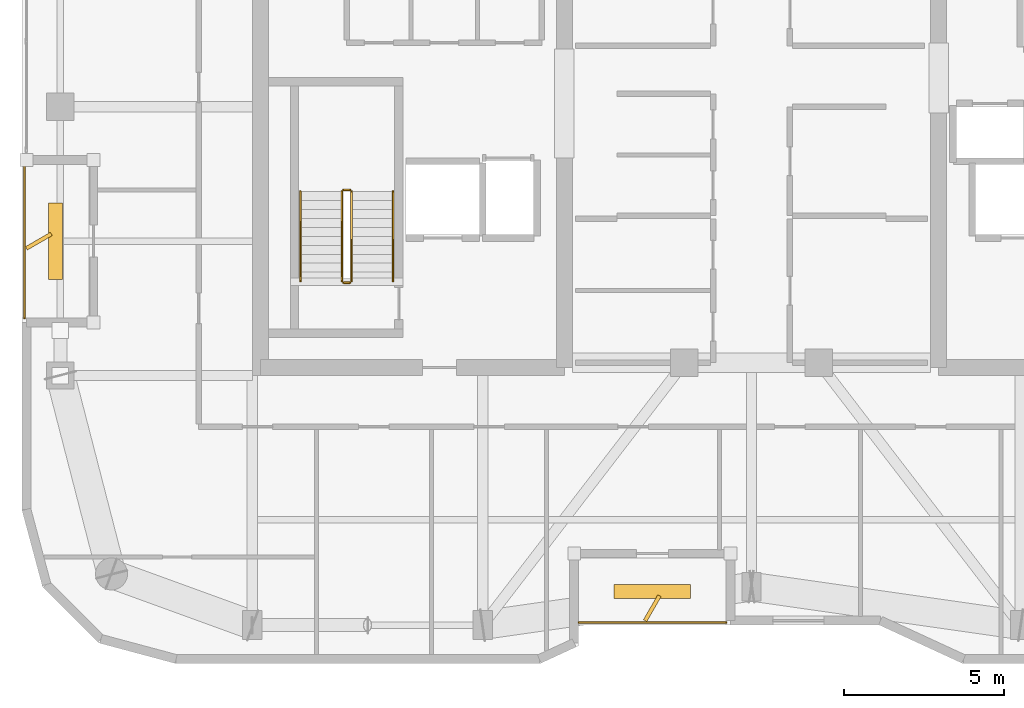
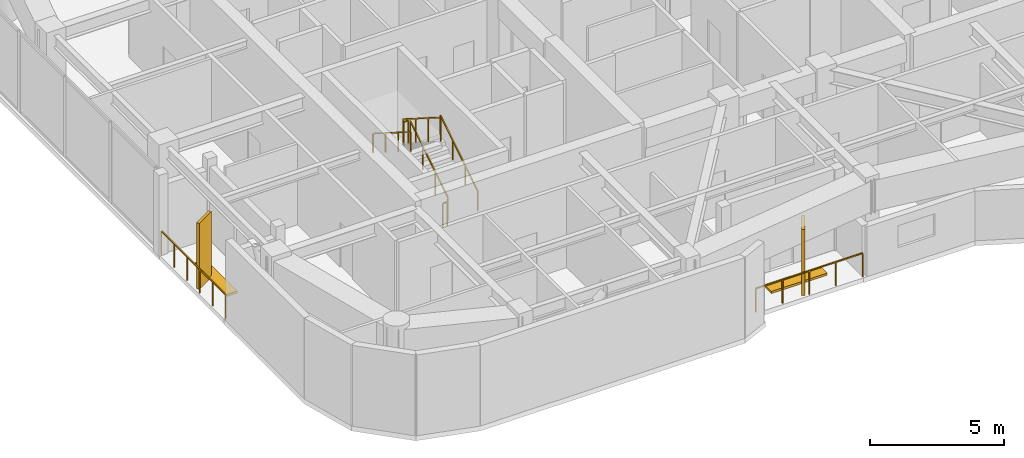
# One storey, part 15 of 16: 8 railings, 4 shading devices.
"""IFC4 building model written with IfcOpenShell, lengths in metres."""

from ifc_helpers import new_model, si_unit, direction, frame, origin, origin_2d, place, context, subcontext, project, spatial, rectangle, extrude, material, type_object, element, save


model = new_model("IFC4")

# Units and contexts
model_context = context("Model", 3, precision=1e-05, world=origin(), true_north=direction((0.0, 1.0)))
body_context = subcontext(model_context, "Body", "Model", "MODEL_VIEW")
ifc_project = project(units=[si_unit("LENGTHUNIT", "METRE"), si_unit("AREAUNIT", "SQUARE_METRE"), si_unit("VOLUMEUNIT", "CUBIC_METRE"), si_unit("PLANEANGLEUNIT", "RADIAN"), si_unit("MASSUNIT", "GRAM", prefix="KILO")], contexts=[model_context])

# Site, building, storey
site_placement = place(None, origin())
site = spatial("IfcSite", under=ifc_project, at=site_placement, CompositionType="ELEMENT")
building_placement = place(site_placement, origin())
building = spatial("IfcBuilding", under=site, at=building_placement, Name="Kiyonajd Concourse Tower", CompositionType="ELEMENT")
storey_placement = place(building_placement, frame((0.0, 0.0, 306.300048828125)))
storey = spatial("IfcBuildingStorey", under=building, at=storey_placement, Name="L77", CompositionType="ELEMENT", Elevation=306.300048828125)

# Railings
ifc_material_1 = material(Name="Thermally Broken Anodised Aluminium", Category="aluminium")
railing_type_1 = type_object("IfcRailingType", Name="RL-GRD-LOG", PredefinedType="GUARDRAIL", material=ifc_material_1)
railing_1_placement = place(storey_placement, frame((42.60009765625, 19.8798828125, 0.0)))
element("IfcRailing", 1, at=railing_1_placement, inside=storey, type_object=railing_type_1, Name="L77 Engawa Loggia Perimeter Guard LOG-S", PredefinedType="GUARDRAIL", context=body_context, shape_type="SweptSolid", body=[
    extrude(rectangle(XDim=0.048095703125, YDim=0.048095703125, at=origin_2d()), frame((0.0, 0.0, 1.076171875), z_axis=(1.0, 0.0, 0.0), x_axis=(0.0, 1.0, 0.0)), (0.0, 0.0, 1.0), 4.599853515625),
    extrude(rectangle(XDim=0.0419921875, YDim=0.0419921875, at=origin_2d()), origin(), (0.0, 0.0, 1.0), 1.052001953125),
    extrude(rectangle(XDim=0.0419921875, YDim=0.0419921875, at=origin_2d()), frame((1.14990234375, 0.0, 0.0)), (0.0, 0.0, 1.0), 1.052001953125),
    extrude(rectangle(XDim=0.0419921875, YDim=0.0419921875, at=origin_2d()), frame((2.2998046875, 0.0, 0.0)), (0.0, 0.0, 1.0), 1.052001953125),
    extrude(rectangle(XDim=0.0419921875, YDim=0.0419921875, at=origin_2d()), frame((3.449951171875, 0.0, 0.0)), (0.0, 0.0, 1.0), 1.052001953125),
    extrude(rectangle(XDim=0.0419921875, YDim=0.0419921875, at=origin_2d()), frame((4.599853515625, 0.0, 0.0)), (0.0, 0.0, 1.0), 1.052001953125),
])
railing_2_placement = place(storey_placement, frame((25.280029296875, 34.199951171875, 0.0)))
element("IfcRailing", 2, at=railing_2_placement, inside=storey, type_object=railing_type_1, Name="L77 Engawa Loggia Perimeter Guard LOG-W", PredefinedType="GUARDRAIL", context=body_context, shape_type="SweptSolid", body=[
    extrude(rectangle(XDim=0.048095703125, YDim=0.048095703125, at=origin_2d()), frame((0.0, 0.0, 1.076171875), z_axis=(0.0, -1.0, 0.0), x_axis=(1.0, 0.0, 0.0)), (0.0, 0.0, 1.0), 4.800048828125),
    extrude(rectangle(XDim=0.0419921875, YDim=0.0419921875, at=origin_2d()), origin(), (0.0, 0.0, 1.0), 1.052001953125),
    extrude(rectangle(XDim=0.0419921875, YDim=0.0419921875, at=origin_2d()), frame((0.0, -0.9599609375, 0.0)), (0.0, 0.0, 1.0), 1.052001953125),
    extrude(rectangle(XDim=0.0419921875, YDim=0.0419921875, at=origin_2d()), frame((0.0, -1.919921875, 0.0)), (0.0, 0.0, 1.0), 1.052001953125),
    extrude(rectangle(XDim=0.0419921875, YDim=0.0419921875, at=origin_2d()), frame((0.0, -2.880126953125, 0.0)), (0.0, 0.0, 1.0), 1.052001953125),
    extrude(rectangle(XDim=0.0419921875, YDim=0.0419921875, at=origin_2d()), frame((0.0, -3.840087890625, 0.0)), (0.0, 0.0, 1.0), 1.052001953125),
    extrude(rectangle(XDim=0.0419921875, YDim=0.0419921875, at=origin_2d()), frame((0.0, -4.800048828125, 0.0)), (0.0, 0.0, 1.0), 1.052001953125),
])
ifc_material_2 = material(Name="Steel ASTM A500 Grade C", Category="steel")
railing_type_2 = type_object("IfcRailingType", Name="RL-GRD-STR", PredefinedType="GUARDRAIL", material=ifc_material_2)
railing_3_placement = place(storey_placement, frame((35.5, 30.550048828125, 0.17724609375)))
element("IfcRailing", 3, at=railing_3_placement, inside=storey, type_object=railing_type_2, Name="L77 ST1 stair guard 1", PredefinedType="GUARDRAIL", context=body_context, shape_type="SweptSolid", body=[
    extrude(rectangle(XDim=0.048095703125, YDim=0.048095703125, at=origin_2d()), frame((0.0, 0.0, 1.076171875), z_axis=(0.0, 0.844908973607, 0.534910110503), x_axis=(-1.0, 0.0, 0.0)), (0.0, 0.0, 1.0), 3.31396484375),
    extrude(rectangle(XDim=0.0419921875, YDim=0.0419921875, at=origin_2d()), origin(), (0.0, 0.0, 1.0), 1.052001953125),
    extrude(rectangle(XDim=0.0419921875, YDim=0.0419921875, at=origin_2d()), frame((0.0, 0.933349609375, 0.5908203125)), (0.0, 0.0, 1.0), 1.052001953125),
    extrude(rectangle(XDim=0.0419921875, YDim=0.0419921875, at=origin_2d()), frame((0.0, 1.86669921875, 1.181884765625)), (0.0, 0.0, 1.0), 1.052001953125),
    extrude(rectangle(XDim=0.0419921875, YDim=0.0419921875, at=origin_2d()), frame((0.0, 2.800048828125, 1.772705078125)), (0.0, 0.0, 1.0), 1.052001953125),
])
railing_4_placement = place(storey_placement, frame((35.449951171875, 33.39990234375, 1.949951171875)))
element("IfcRailing", 4, at=railing_4_placement, inside=storey, type_object=railing_type_2, Name="L77 ST1 stair guard 2", PredefinedType="GUARDRAIL", context=body_context, shape_type="SweptSolid", body=[
    extrude(rectangle(XDim=0.048095703125, YDim=0.048095703125, at=origin_2d()), frame((0.0, 0.0, 1.076171875), z_axis=(-1.0, 0.0, 0.0), x_axis=(0.0, -1.0, 0.0)), (0.0, 0.0, 1.0), 0.199951171875),
    extrude(rectangle(XDim=0.0419921875, YDim=0.0419921875, at=origin_2d()), origin(), (0.0, 0.0, 1.0), 1.052001953125),
    extrude(rectangle(XDim=0.0419921875, YDim=0.0419921875, at=origin_2d()), frame((-0.199951171875, 0.0, 0.0)), (0.0, 0.0, 1.0), 1.052001953125),
])
railing_5_placement = place(storey_placement, frame((35.199951171875, 33.35009765625, 2.127197265625)))
element("IfcRailing", 5, at=railing_5_placement, inside=storey, type_object=railing_type_2, Name="L77 ST1 stair guard 3", PredefinedType="GUARDRAIL", context=body_context, shape_type="SweptSolid", body=[
    extrude(rectangle(XDim=0.048095703125, YDim=0.048095703125, at=origin_2d()), frame((0.0, 0.0, 1.076171875), z_axis=(0.0, -0.844908973607, 0.534910110503), x_axis=(1.0, 0.0, 0.0)), (0.0, 0.0, 1.0), 3.31396484375),
    extrude(rectangle(XDim=0.0419921875, YDim=0.0419921875, at=origin_2d()), origin(), (0.0, 0.0, 1.0), 1.052001953125),
    extrude(rectangle(XDim=0.0419921875, YDim=0.0419921875, at=origin_2d()), frame((0.0, -0.933349609375, 0.5908203125)), (0.0, 0.0, 1.0), 1.052001953125),
    extrude(rectangle(XDim=0.0419921875, YDim=0.0419921875, at=origin_2d()), frame((0.0, -1.86669921875, 1.181884765625)), (0.0, 0.0, 1.0), 1.052001953125),
    extrude(rectangle(XDim=0.0419921875, YDim=0.0419921875, at=origin_2d()), frame((0.0, -2.800048828125, 1.772705078125)), (0.0, 0.0, 1.0), 1.052001953125),
])
railing_6_placement = place(storey_placement, frame((35.449951171875, 30.5, 0.0)))
element("IfcRailing", 6, at=railing_6_placement, inside=storey, type_object=railing_type_2, Name="L77 ST1 stair guard 4", PredefinedType="GUARDRAIL", context=body_context, shape_type="SweptSolid", body=[
    extrude(rectangle(XDim=0.048095703125, YDim=0.048095703125, at=origin_2d()), frame((0.0, 0.0, 1.076171875), z_axis=(-1.0, 0.0, 0.0), x_axis=(0.0, -1.0, 0.0)), (0.0, 0.0, 1.0), 0.199951171875),
    extrude(rectangle(XDim=0.0419921875, YDim=0.0419921875, at=origin_2d()), origin(), (0.0, 0.0, 1.0), 1.052001953125),
    extrude(rectangle(XDim=0.0419921875, YDim=0.0419921875, at=origin_2d()), frame((-0.199951171875, 0.0, 0.0)), (0.0, 0.0, 1.0), 1.052001953125),
])
ifc_material_3 = material(Name="Brushed Stainless Steel Cab Assembly", Category="steel")
railing_type_3 = type_object("IfcRailingType", Name="RL-HND-900", PredefinedType="HANDRAIL", material=ifc_material_3)
railing_7_placement = place(storey_placement, frame((36.800048828125, 30.550048828125, 0.17724609375)))
element("IfcRailing", 7, at=railing_7_placement, inside=storey, type_object=railing_type_3, Name="L77 ST1 stair handrail 1", PredefinedType="HANDRAIL", context=body_context, shape_type="SweptSolid", body=[
    extrude(rectangle(XDim=0.048095703125, YDim=0.048095703125, at=origin_2d()), frame((0.0, 0.0, 0.8759765625), z_axis=(0.0, 0.844908973607, 0.534910110503), x_axis=(-1.0, 0.0, 0.0)), (0.0, 0.0, 1.0), 3.31396484375),
    extrude(rectangle(XDim=0.0419921875, YDim=0.0419921875, at=origin_2d()), origin(), (0.0, 0.0, 1.0), 0.851806640625),
    extrude(rectangle(XDim=0.0419921875, YDim=0.0419921875, at=origin_2d()), frame((0.0, 0.933349609375, 0.5908203125)), (0.0, 0.0, 1.0), 0.851806640625),
    extrude(rectangle(XDim=0.0419921875, YDim=0.0419921875, at=origin_2d()), frame((0.0, 1.86669921875, 1.181884765625)), (0.0, 0.0, 1.0), 0.851806640625),
    extrude(rectangle(XDim=0.0419921875, YDim=0.0419921875, at=origin_2d()), frame((0.0, 2.800048828125, 1.772705078125)), (0.0, 0.0, 1.0), 0.851806640625),
])
railing_8_placement = place(storey_placement, frame((33.89990234375, 33.35009765625, 2.127197265625)))
element("IfcRailing", 8, at=railing_8_placement, inside=storey, type_object=railing_type_3, Name="L77 ST1 stair handrail 2", PredefinedType="HANDRAIL", context=body_context, shape_type="SweptSolid", body=[
    extrude(rectangle(XDim=0.048095703125, YDim=0.048095703125, at=origin_2d()), frame((0.0, 0.0, 0.8759765625), z_axis=(0.0, -0.844908973607, 0.534910110503), x_axis=(1.0, 0.0, 0.0)), (0.0, 0.0, 1.0), 3.31396484375),
    extrude(rectangle(XDim=0.0419921875, YDim=0.0419921875, at=origin_2d()), origin(), (0.0, 0.0, 1.0), 0.851806640625),
    extrude(rectangle(XDim=0.0419921875, YDim=0.0419921875, at=origin_2d()), frame((0.0, -0.933349609375, 0.5908203125)), (0.0, 0.0, 1.0), 0.851806640625),
    extrude(rectangle(XDim=0.0419921875, YDim=0.0419921875, at=origin_2d()), frame((0.0, -1.86669921875, 1.181884765625)), (0.0, 0.0, 1.0), 0.851806640625),
    extrude(rectangle(XDim=0.0419921875, YDim=0.0419921875, at=origin_2d()), frame((0.0, -2.800048828125, 1.772705078125)), (0.0, 0.0, 1.0), 0.851806640625),
])

# Shading devices
ifc_material_4 = material(Name="Precast concrete C50/60", Category="concrete")
shading_device_type_1 = type_object("IfcShadingDeviceType", Name="SH-FIN-900", PredefinedType="USERDEFINED", material=ifc_material_4)
for number, where, z_axis, x_axis, name in (
    (9, (44.89990234375, 20.330078125, 0.0), (0.0, 0.0, 1.0), (0.5, 0.866025403784, 0.0), "L77 Angled Koshi Solar Fin LOG-S"),
    (10, (25.72998046875, 31.800048828125, 0.0), (0.0, 0.0, 1.0), (0.866025403784, 0.5, 0.0), "L77 Angled Koshi Solar Fin LOG-W"),
):
    element("IfcShadingDevice", number, at=place(storey_placement, frame(where, z_axis=z_axis, x_axis=x_axis)), inside=storey, type_object=shading_device_type_1, Name=name, ObjectType="FIN", PredefinedType="USERDEFINED", context=body_context, shape_type="SweptSolid", body=[
        extrude(rectangle(XDim=0.89990234375, YDim=0.1201171875, at=origin_2d()), origin(), (0.0, 0.0, 1.0), 3.0),
    ])
shading_device_type_2 = type_object("IfcShadingDeviceType", Name="SH-LVR-600", PredefinedType="JALOUSIE", material=ifc_material_1)
for number, where, z_axis, x_axis, name in (
    (11, (44.89990234375, 20.85009765625, 0.0), (0.0, 0.0, 1.0), (1.0, 0.0, 0.0), "L77 Loggia Threshold Louver LOG-S"),
    (12, (26.25, 31.800048828125, 0.0), (0.0, 0.0, 1.0), (0.0, 1.0, 0.0), "L77 Loggia Threshold Louver LOG-W"),
):
    element("IfcShadingDevice", number, at=place(storey_placement, frame(where, z_axis=z_axis, x_axis=x_axis)), inside=storey, type_object=shading_device_type_2, Name=name, PredefinedType="JALOUSIE", context=body_context, shape_type="SweptSolid", body=[
        extrude(rectangle(XDim=2.39990234375, YDim=0.449951171875, at=origin_2d()), origin(), (0.0, 0.0, 1.0), 0.10009765625),
    ])

save(model, "model.ifc")
